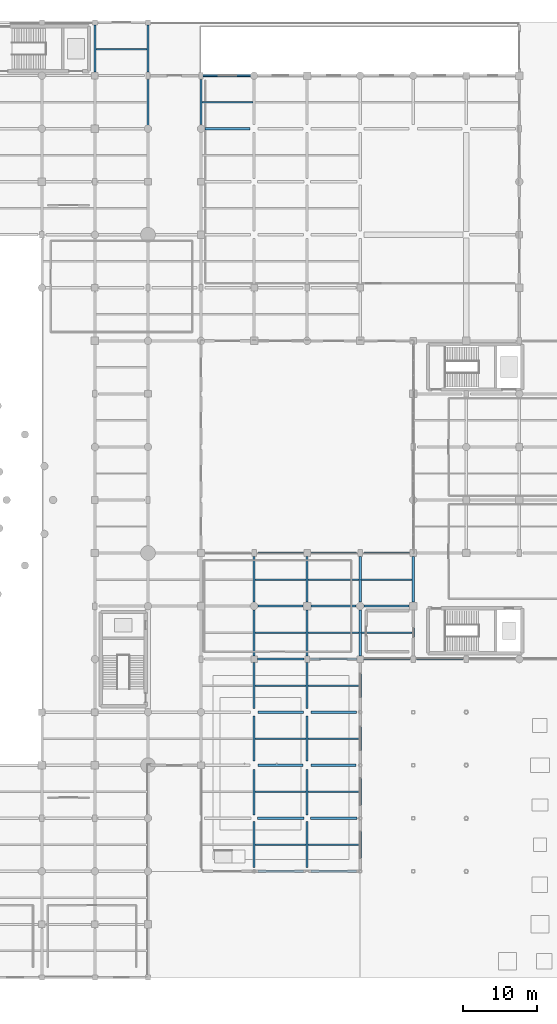
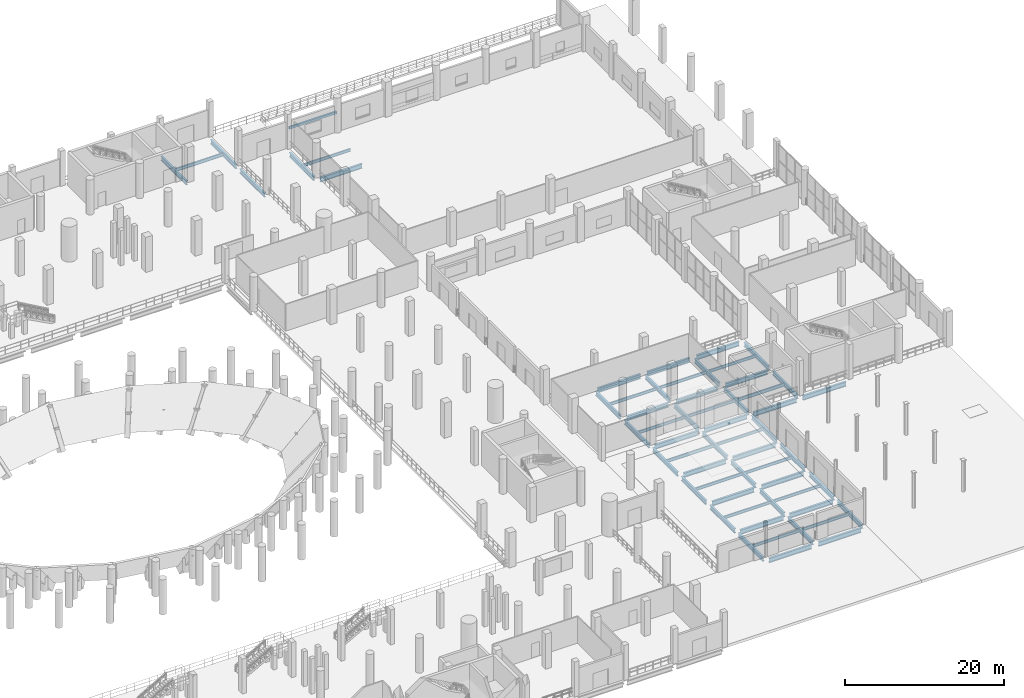
# One storey, part 14 of 58: 60 beams.
"""IFC4 building model written with IfcOpenShell, lengths in metres."""

from ifc_helpers import new_model, si_unit, direction, frame, origin, origin_2d, place, context, subcontext, project, spatial, rectangle, i_section, extrude, material, material_profile, profile_set, type_object, element, save


model = new_model("IFC4")

# Units and contexts
model_context = context("Model", 3, precision=1e-05, world=origin(), true_north=direction((0.0, 1.0)))
body_context = subcontext(model_context, "Body", "Model", "MODEL_VIEW")
ifc_project = project(units=[si_unit("LENGTHUNIT", "METRE"), si_unit("AREAUNIT", "SQUARE_METRE"), si_unit("VOLUMEUNIT", "CUBIC_METRE"), si_unit("PLANEANGLEUNIT", "RADIAN"), si_unit("MASSUNIT", "GRAM", prefix="KILO")], contexts=[model_context])

# Site, building, storey
site_placement = place(None, origin())
site = spatial("IfcSite", under=ifc_project, at=site_placement, CompositionType="ELEMENT")
building_placement = place(site_placement, origin())
building = spatial("IfcBuilding", under=site, at=building_placement, Name="Qandorah Velis Arena", CompositionType="ELEMENT")
storey_placement = place(building_placement, origin())
storey = spatial("IfcBuildingStorey", under=building, at=storey_placement, Name="L00", CompositionType="ELEMENT", Elevation=0.0)

# Beams
ifc_material_1 = material(Name="Steel S355", Category="steel")
ifc_material_profile_1 = material_profile(ifc_material_1, i_section(OverallWidth=0.300048828125, OverallDepth=0.64990234375, WebThickness=0.01611328125, FlangeThickness=0.031005859375, FilletRadius=0.027099609375, at=origin_2d()), Name="HEB 650")
ifc_profile_set_1 = profile_set([ifc_material_profile_1], Name="Steel S355")
beam_type_1 = type_object("IfcBeamType", Name="STR-BM-HEB650", PredefinedType="BEAM", material=ifc_profile_set_1)
beam_1_placement = place(storey_placement, frame((108.0, 122.89990234375, -0.7451171875), z_axis=(0.0, 1.0, 0.0), x_axis=(-1.0, 0.0, 0.0)))
element("IfcBeam", 1, at=beam_1_placement, inside=storey, type_object=beam_type_1, Name="Primary floor girder L00 Y-442", PredefinedType="BEAM", context=body_context, shape_type="SweptSolid", body=[
    extrude(i_section(OverallWidth=0.300048828125, OverallDepth=0.64990234375, WebThickness=0.01611328125, FlangeThickness=0.031005859375, FilletRadius=0.027099609375, at=origin_2d()), origin(), (0.0, 0.0, 1.0), 6.400146484375),
])
beam_2_placement = place(storey_placement, frame((115.199951171875, 115.64990234375, -0.7451171875), z_axis=(0.0, 1.0, 0.0), x_axis=(-1.0, 0.0, 0.0)))
element("IfcBeam", 2, at=beam_2_placement, inside=storey, type_object=beam_type_1, Name="Primary floor girder L00 Y-458", PredefinedType="BEAM", context=body_context, shape_type="SweptSolid", body=[
    extrude(i_section(OverallWidth=0.300048828125, OverallDepth=0.64990234375, WebThickness=0.01611328125, FlangeThickness=0.031005859375, FilletRadius=0.027099609375, at=origin_2d()), origin(), (0.0, 0.0, 1.0), 6.25),
])
beam_3_placement = place(storey_placement, frame((115.199951171875, 122.89990234375, -0.7451171875), z_axis=(0.0, 1.0, 0.0), x_axis=(-1.0, 0.0, 0.0)))
element("IfcBeam", 3, at=beam_3_placement, inside=storey, type_object=beam_type_1, Name="Primary floor girder L00 Y-459", PredefinedType="BEAM", context=body_context, shape_type="SweptSolid", body=[
    extrude(i_section(OverallWidth=0.300048828125, OverallDepth=0.64990234375, WebThickness=0.01611328125, FlangeThickness=0.031005859375, FilletRadius=0.027099609375, at=origin_2d()), origin(), (0.0, 0.0, 1.0), 6.400146484375),
])
beam_4_placement = place(storey_placement, frame((122.39990234375, 115.75, -0.7451171875), z_axis=(0.0, 1.0, 0.0), x_axis=(-1.0, 0.0, 0.0)))
element("IfcBeam", 4, at=beam_4_placement, inside=storey, type_object=beam_type_1, Name="Primary floor girder L00 Y-470", PredefinedType="BEAM", context=body_context, shape_type="SweptSolid", body=[
    extrude(i_section(OverallWidth=0.300048828125, OverallDepth=0.64990234375, WebThickness=0.01611328125, FlangeThickness=0.031005859375, FilletRadius=0.027099609375, at=origin_2d()), origin(), (0.0, 0.0, 1.0), 6.14990234375),
])
beam_5_placement = place(storey_placement, frame((129.60009765625, 14.89990234375, -0.7451171875), z_axis=(0.0, 1.0, 0.0), x_axis=(-1.0, 0.0, 0.0)))
element("IfcBeam", 5, at=beam_5_placement, inside=storey, type_object=beam_type_1, Name="Primary floor girder L00 Y-471", PredefinedType="BEAM", context=body_context, shape_type="SweptSolid", body=[
    extrude(i_section(OverallWidth=0.300048828125, OverallDepth=0.64990234375, WebThickness=0.01611328125, FlangeThickness=0.031005859375, FilletRadius=0.027099609375, at=origin_2d()), origin(), (0.0, 0.0, 1.0), 6.25),
])
beam_6_placement = place(storey_placement, frame((129.60009765625, 22.050048828125, -0.7451171875), z_axis=(0.0, 1.0, 0.0), x_axis=(-1.0, 0.0, 0.0)))
element("IfcBeam", 6, at=beam_6_placement, inside=storey, type_object=beam_type_1, Name="Primary floor girder L00 Y-472", PredefinedType="BEAM", context=body_context, shape_type="SweptSolid", body=[
    extrude(i_section(OverallWidth=0.300048828125, OverallDepth=0.64990234375, WebThickness=0.01611328125, FlangeThickness=0.031005859375, FilletRadius=0.027099609375, at=origin_2d()), origin(), (0.0, 0.0, 1.0), 6.199951171875),
])
beam_7_placement = place(storey_placement, frame((129.60009765625, 29.35009765625, -0.7451171875), z_axis=(0.0, 1.0, 0.0), x_axis=(-1.0, 0.0, 0.0)))
element("IfcBeam", 7, at=beam_7_placement, inside=storey, type_object=beam_type_1, Name="Primary floor girder L00 Y-473", PredefinedType="BEAM", context=body_context, shape_type="SweptSolid", body=[
    extrude(i_section(OverallWidth=0.300048828125, OverallDepth=0.64990234375, WebThickness=0.01611328125, FlangeThickness=0.031005859375, FilletRadius=0.027099609375, at=origin_2d()), origin(), (0.0, 0.0, 1.0), 6.14990234375),
])
beam_8_placement = place(storey_placement, frame((129.60009765625, 36.5, -0.7451171875), z_axis=(0.0, 1.0, 0.0), x_axis=(-1.0, 0.0, 0.0)))
element("IfcBeam", 8, at=beam_8_placement, inside=storey, type_object=beam_type_1, Name="Primary floor girder L00 Y-474", PredefinedType="BEAM", context=body_context, shape_type="SweptSolid", body=[
    extrude(i_section(OverallWidth=0.300048828125, OverallDepth=0.64990234375, WebThickness=0.01611328125, FlangeThickness=0.031005859375, FilletRadius=0.027099609375, at=origin_2d()), origin(), (0.0, 0.0, 1.0), 6.25),
])
beam_9_placement = place(storey_placement, frame((129.60009765625, 43.64990234375, -0.7451171875), z_axis=(0.0, 1.0, 0.0), x_axis=(-1.0, 0.0, 0.0)))
element("IfcBeam", 9, at=beam_9_placement, inside=storey, type_object=beam_type_1, Name="Primary floor girder L00 Y-475", PredefinedType="BEAM", context=body_context, shape_type="SweptSolid", body=[
    extrude(i_section(OverallWidth=0.300048828125, OverallDepth=0.64990234375, WebThickness=0.01611328125, FlangeThickness=0.031005859375, FilletRadius=0.027099609375, at=origin_2d()), origin(), (0.0, 0.0, 1.0), 6.2001953125),
])
beam_10_placement = place(storey_placement, frame((129.60009765625, 50.949951171875, -0.7451171875), z_axis=(0.0, 1.0, 0.0), x_axis=(-1.0, 0.0, 0.0)))
element("IfcBeam", 10, at=beam_10_placement, inside=storey, type_object=beam_type_1, Name="Primary floor girder L00 Y-476", PredefinedType="BEAM", context=body_context, shape_type="SweptSolid", body=[
    extrude(i_section(OverallWidth=0.300048828125, OverallDepth=0.64990234375, WebThickness=0.01611328125, FlangeThickness=0.031005859375, FilletRadius=0.027099609375, at=origin_2d()), origin(), (0.0, 0.0, 1.0), 6.150146484375),
])
beam_11_placement = place(storey_placement, frame((136.800048828125, 14.89990234375, -0.7451171875), z_axis=(0.0, 1.0, 0.0), x_axis=(-1.0, 0.0, 0.0)))
element("IfcBeam", 11, at=beam_11_placement, inside=storey, type_object=beam_type_1, Name="Primary floor girder L00 Y-482", PredefinedType="BEAM", context=body_context, shape_type="SweptSolid", body=[
    extrude(i_section(OverallWidth=0.300048828125, OverallDepth=0.64990234375, WebThickness=0.01611328125, FlangeThickness=0.031005859375, FilletRadius=0.027099609375, at=origin_2d()), origin(), (0.0, 0.0, 1.0), 6.25),
])
beam_12_placement = place(storey_placement, frame((136.800048828125, 22.050048828125, -0.7451171875), z_axis=(0.0, 1.0, 0.0), x_axis=(-1.0, 0.0, 0.0)))
element("IfcBeam", 12, at=beam_12_placement, inside=storey, type_object=beam_type_1, Name="Primary floor girder L00 Y-483", PredefinedType="BEAM", context=body_context, shape_type="SweptSolid", body=[
    extrude(i_section(OverallWidth=0.300048828125, OverallDepth=0.64990234375, WebThickness=0.01611328125, FlangeThickness=0.031005859375, FilletRadius=0.027099609375, at=origin_2d()), origin(), (0.0, 0.0, 1.0), 6.199951171875),
])
beam_13_placement = place(storey_placement, frame((136.800048828125, 29.35009765625, -0.7451171875), z_axis=(0.0, 1.0, 0.0), x_axis=(-1.0, 0.0, 0.0)))
element("IfcBeam", 13, at=beam_13_placement, inside=storey, type_object=beam_type_1, Name="Primary floor girder L00 Y-484", PredefinedType="BEAM", context=body_context, shape_type="SweptSolid", body=[
    extrude(i_section(OverallWidth=0.300048828125, OverallDepth=0.64990234375, WebThickness=0.01611328125, FlangeThickness=0.031005859375, FilletRadius=0.027099609375, at=origin_2d()), origin(), (0.0, 0.0, 1.0), 6.14990234375),
])
beam_14_placement = place(storey_placement, frame((136.800048828125, 36.5, -0.7451171875), z_axis=(0.0, 1.0, 0.0), x_axis=(-1.0, 0.0, 0.0)))
element("IfcBeam", 14, at=beam_14_placement, inside=storey, type_object=beam_type_1, Name="Primary floor girder L00 Y-485", PredefinedType="BEAM", context=body_context, shape_type="SweptSolid", body=[
    extrude(i_section(OverallWidth=0.300048828125, OverallDepth=0.64990234375, WebThickness=0.01611328125, FlangeThickness=0.031005859375, FilletRadius=0.027099609375, at=origin_2d()), origin(), (0.0, 0.0, 1.0), 6.25),
])
beam_15_placement = place(storey_placement, frame((136.800048828125, 43.64990234375, -0.7451171875), z_axis=(0.0, 1.0, 0.0), x_axis=(-1.0, 0.0, 0.0)))
element("IfcBeam", 15, at=beam_15_placement, inside=storey, type_object=beam_type_1, Name="Primary floor girder L00 Y-486", PredefinedType="BEAM", context=body_context, shape_type="SweptSolid", body=[
    extrude(i_section(OverallWidth=0.300048828125, OverallDepth=0.64990234375, WebThickness=0.01611328125, FlangeThickness=0.031005859375, FilletRadius=0.027099609375, at=origin_2d()), origin(), (0.0, 0.0, 1.0), 6.2001953125),
])
beam_16_placement = place(storey_placement, frame((136.800048828125, 50.949951171875, -0.7451171875), z_axis=(0.0, 1.0, 0.0), x_axis=(-1.0, 0.0, 0.0)))
element("IfcBeam", 16, at=beam_16_placement, inside=storey, type_object=beam_type_1, Name="Primary floor girder L00 Y-487", PredefinedType="BEAM", context=body_context, shape_type="SweptSolid", body=[
    extrude(i_section(OverallWidth=0.300048828125, OverallDepth=0.64990234375, WebThickness=0.01611328125, FlangeThickness=0.031005859375, FilletRadius=0.027099609375, at=origin_2d()), origin(), (0.0, 0.0, 1.0), 6.150146484375),
])
beam_17_placement = place(storey_placement, frame((144.0, 14.89990234375, -0.7451171875), z_axis=(0.0, 1.0, 0.0), x_axis=(-1.0, 0.0, 0.0)))
element("IfcBeam", 17, at=beam_17_placement, inside=storey, type_object=beam_type_1, Name="Primary floor girder L00 Y-493", PredefinedType="BEAM", context=body_context, shape_type="SweptSolid", body=[
    extrude(i_section(OverallWidth=0.300048828125, OverallDepth=0.64990234375, WebThickness=0.01611328125, FlangeThickness=0.031005859375, FilletRadius=0.027099609375, at=origin_2d()), origin(), (0.0, 0.0, 1.0), 6.25),
])
beam_18_placement = place(storey_placement, frame((144.0, 22.050048828125, -0.7451171875), z_axis=(0.0, 1.0, 0.0), x_axis=(-1.0, 0.0, 0.0)))
element("IfcBeam", 18, at=beam_18_placement, inside=storey, type_object=beam_type_1, Name="Primary floor girder L00 Y-494", PredefinedType="BEAM", context=body_context, shape_type="SweptSolid", body=[
    extrude(i_section(OverallWidth=0.300048828125, OverallDepth=0.64990234375, WebThickness=0.01611328125, FlangeThickness=0.031005859375, FilletRadius=0.027099609375, at=origin_2d()), origin(), (0.0, 0.0, 1.0), 6.199951171875),
])
beam_19_placement = place(storey_placement, frame((144.0, 29.35009765625, -0.7451171875), z_axis=(0.0, 1.0, 0.0), x_axis=(-1.0, 0.0, 0.0)))
element("IfcBeam", 19, at=beam_19_placement, inside=storey, type_object=beam_type_1, Name="Primary floor girder L00 Y-495", PredefinedType="BEAM", context=body_context, shape_type="SweptSolid", body=[
    extrude(i_section(OverallWidth=0.300048828125, OverallDepth=0.64990234375, WebThickness=0.01611328125, FlangeThickness=0.031005859375, FilletRadius=0.027099609375, at=origin_2d()), origin(), (0.0, 0.0, 1.0), 6.14990234375),
])
beam_20_placement = place(storey_placement, frame((144.0, 36.5, -0.7451171875), z_axis=(0.0, 1.0, 0.0), x_axis=(-1.0, 0.0, 0.0)))
element("IfcBeam", 20, at=beam_20_placement, inside=storey, type_object=beam_type_1, Name="Primary floor girder L00 Y-496", PredefinedType="BEAM", context=body_context, shape_type="SweptSolid", body=[
    extrude(i_section(OverallWidth=0.300048828125, OverallDepth=0.64990234375, WebThickness=0.01611328125, FlangeThickness=0.031005859375, FilletRadius=0.027099609375, at=origin_2d()), origin(), (0.0, 0.0, 1.0), 6.25),
])
beam_21_placement = place(storey_placement, frame((144.0, 43.64990234375, -0.7451171875), z_axis=(0.0, 1.0, 0.0), x_axis=(-1.0, 0.0, 0.0)))
element("IfcBeam", 21, at=beam_21_placement, inside=storey, type_object=beam_type_1, Name="Primary floor girder L00 Y-497", PredefinedType="BEAM", context=body_context, shape_type="SweptSolid", body=[
    extrude(i_section(OverallWidth=0.300048828125, OverallDepth=0.64990234375, WebThickness=0.01611328125, FlangeThickness=0.031005859375, FilletRadius=0.027099609375, at=origin_2d()), origin(), (0.0, 0.0, 1.0), 6.2001953125),
])
beam_22_placement = place(storey_placement, frame((144.0, 50.949951171875, -0.7451171875), z_axis=(0.0, 1.0, 0.0), x_axis=(-1.0, 0.0, 0.0)))
element("IfcBeam", 22, at=beam_22_placement, inside=storey, type_object=beam_type_1, Name="Primary floor girder L00 Y-498", PredefinedType="BEAM", context=body_context, shape_type="SweptSolid", body=[
    extrude(i_section(OverallWidth=0.300048828125, OverallDepth=0.64990234375, WebThickness=0.01611328125, FlangeThickness=0.031005859375, FilletRadius=0.027099609375, at=origin_2d()), origin(), (0.0, 0.0, 1.0), 6.150146484375),
])
beam_23_placement = place(storey_placement, frame((151.199951171875, 43.64990234375, -0.7451171875), z_axis=(0.0, 1.0, 0.0), x_axis=(-1.0, 0.0, 0.0)))
element("IfcBeam", 23, at=beam_23_placement, inside=storey, type_object=beam_type_1, Name="Primary floor girder L00 Y-504", PredefinedType="BEAM", context=body_context, shape_type="SweptSolid", body=[
    extrude(i_section(OverallWidth=0.300048828125, OverallDepth=0.64990234375, WebThickness=0.01611328125, FlangeThickness=0.031005859375, FilletRadius=0.027099609375, at=origin_2d()), origin(), (0.0, 0.0, 1.0), 6.2001953125),
])
beam_24_placement = place(storey_placement, frame((151.199951171875, 50.949951171875, -0.7451171875), z_axis=(0.0, 1.0, 0.0), x_axis=(-1.0, 0.0, 0.0)))
element("IfcBeam", 24, at=beam_24_placement, inside=storey, type_object=beam_type_1, Name="Primary floor girder L00 Y-505", PredefinedType="BEAM", context=body_context, shape_type="SweptSolid", body=[
    extrude(i_section(OverallWidth=0.300048828125, OverallDepth=0.64990234375, WebThickness=0.01611328125, FlangeThickness=0.031005859375, FilletRadius=0.027099609375, at=origin_2d()), origin(), (0.0, 0.0, 1.0), 6.150146484375),
])
ifc_material_profile_2 = material_profile(ifc_material_1, i_section(OverallWidth=0.300048828125, OverallDepth=0.699951171875, WebThickness=0.01708984375, FlangeThickness=0.031982421875, FilletRadius=0.027099609375, at=origin_2d()), Name="HEB 700")
ifc_profile_set_2 = profile_set([ifc_material_profile_2], Name="Steel S355")
beam_type_2 = type_object("IfcBeamType", Name="STR-BM-HEB700", PredefinedType="BEAM", material=ifc_profile_set_2)
for number, where, z_axis, x_axis, name in (
    (25, (130.10009765625, 14.39990234375, -0.77001953125), (1.0, 0.0, 0.0), (0.0, 1.0, 0.0), "Primary floor girder L00 X-050"),
    (26, (137.300048828125, 14.39990234375, -0.77001953125), (1.0, 0.0, 0.0), (0.0, 1.0, 0.0), "Primary floor girder L00 X-051"),
):
    element("IfcBeam", number, at=place(storey_placement, frame(where, z_axis=z_axis, x_axis=x_axis)), inside=storey, type_object=beam_type_2, Name=name, PredefinedType="BEAM", context=body_context, shape_type="SweptSolid", body=[
        extrude(i_section(OverallWidth=0.300048828125, OverallDepth=0.699951171875, WebThickness=0.01708984375, FlangeThickness=0.031982421875, FilletRadius=0.027099609375, at=origin_2d()), origin(), (0.0, 0.0, 1.0), 6.199951171875),
    ])
for number, where, z_axis, x_axis, name in (
    (27, (130.050048828125, 21.60009765625, -0.77001953125), (1.0, 0.0, 0.0), (0.0, 1.0, 0.0), "Primary floor girder L00 X-069"),
    (28, (137.25, 21.60009765625, -0.77001953125), (1.0, 0.0, 0.0), (0.0, 1.0, 0.0), "Primary floor girder L00 X-070"),
):
    element("IfcBeam", number, at=place(storey_placement, frame(where, z_axis=z_axis, x_axis=x_axis)), inside=storey, type_object=beam_type_2, Name=name, PredefinedType="BEAM", context=body_context, shape_type="SweptSolid", body=[
        extrude(i_section(OverallWidth=0.300048828125, OverallDepth=0.699951171875, WebThickness=0.01708984375, FlangeThickness=0.031982421875, FilletRadius=0.027099609375, at=origin_2d()), origin(), (0.0, 0.0, 1.0), 6.300048828125),
    ])
beam_25_placement = place(storey_placement, frame((130.14990234375, 28.800048828125, -0.77001953125), z_axis=(1.0, 0.0, 0.0), x_axis=(0.0, 1.0, 0.0)))
element("IfcBeam", 29, at=beam_25_placement, inside=storey, type_object=beam_type_2, Name="Primary floor girder L00 X-089", PredefinedType="BEAM", context=body_context, shape_type="SweptSolid", body=[
    extrude(i_section(OverallWidth=0.300048828125, OverallDepth=0.699951171875, WebThickness=0.01708984375, FlangeThickness=0.031982421875, FilletRadius=0.027099609375, at=origin_2d()), origin(), (0.0, 0.0, 1.0), 6.10009765625),
])
beam_26_placement = place(storey_placement, frame((137.35009765625, 28.800048828125, -0.77001953125), z_axis=(1.0, 0.0, 0.0), x_axis=(0.0, 1.0, 0.0)))
element("IfcBeam", 30, at=beam_26_placement, inside=storey, type_object=beam_type_2, Name="Primary floor girder L00 X-090", PredefinedType="BEAM", context=body_context, shape_type="SweptSolid", body=[
    extrude(i_section(OverallWidth=0.300048828125, OverallDepth=0.699951171875, WebThickness=0.01708984375, FlangeThickness=0.031982421875, FilletRadius=0.027099609375, at=origin_2d()), origin(), (0.0, 0.0, 1.0), 6.099853515625),
])
for number, where, z_axis, x_axis, name in (
    (31, (130.10009765625, 36.0, -0.77001953125), (1.0, 0.0, 0.0), (0.0, 1.0, 0.0), "Primary floor girder L00 X-099"),
    (32, (137.300048828125, 36.0, -0.77001953125), (1.0, 0.0, 0.0), (0.0, 1.0, 0.0), "Primary floor girder L00 X-100"),
):
    element("IfcBeam", number, at=place(storey_placement, frame(where, z_axis=z_axis, x_axis=x_axis)), inside=storey, type_object=beam_type_2, Name=name, PredefinedType="BEAM", context=body_context, shape_type="SweptSolid", body=[
        extrude(i_section(OverallWidth=0.300048828125, OverallDepth=0.699951171875, WebThickness=0.01708984375, FlangeThickness=0.031982421875, FilletRadius=0.027099609375, at=origin_2d()), origin(), (0.0, 0.0, 1.0), 6.199951171875),
    ])
for number, where, z_axis, x_axis, name in (
    (33, (130.050048828125, 43.199951171875, -0.77001953125), (1.0, 0.0, 0.0), (0.0, 1.0, 0.0), "Primary floor girder L00 X-104"),
    (34, (137.25, 43.199951171875, -0.77001953125), (1.0, 0.0, 0.0), (0.0, 1.0, 0.0), "Primary floor girder L00 X-105"),
    (35, (144.449951171875, 43.199951171875, -0.77001953125), (1.0, 0.0, 0.0), (0.0, 1.0, 0.0), "Primary floor girder L00 X-106"),
    (36, (151.64990234375, 43.199951171875, -0.77001953125), (1.0, 0.0, 0.0), (0.0, 1.0, 0.0), "Primary floor girder L00 X-107"),
):
    element("IfcBeam", number, at=place(storey_placement, frame(where, z_axis=z_axis, x_axis=x_axis)), inside=storey, type_object=beam_type_2, Name=name, PredefinedType="BEAM", context=body_context, shape_type="SweptSolid", body=[
        extrude(i_section(OverallWidth=0.300048828125, OverallDepth=0.699951171875, WebThickness=0.01708984375, FlangeThickness=0.031982421875, FilletRadius=0.027099609375, at=origin_2d()), origin(), (0.0, 0.0, 1.0), 6.300048828125),
    ])
beam_27_placement = place(storey_placement, frame((130.14990234375, 50.39990234375, -0.77001953125), z_axis=(1.0, 0.0, 0.0), x_axis=(0.0, 1.0, 0.0)))
element("IfcBeam", 37, at=beam_27_placement, inside=storey, type_object=beam_type_2, Name="Primary floor girder L00 X-116", PredefinedType="BEAM", context=body_context, shape_type="SweptSolid", body=[
    extrude(i_section(OverallWidth=0.300048828125, OverallDepth=0.699951171875, WebThickness=0.01708984375, FlangeThickness=0.031982421875, FilletRadius=0.027099609375, at=origin_2d()), origin(), (0.0, 0.0, 1.0), 6.10009765625),
])
for number, where, z_axis, x_axis, name in (
    (38, (137.35009765625, 50.39990234375, -0.77001953125), (1.0, 0.0, 0.0), (0.0, 1.0, 0.0), "Primary floor girder L00 X-117"),
    (39, (144.550048828125, 50.39990234375, -0.77001953125), (1.0, 0.0, 0.0), (0.0, 1.0, 0.0), "Primary floor girder L00 X-118"),
):
    element("IfcBeam", number, at=place(storey_placement, frame(where, z_axis=z_axis, x_axis=x_axis)), inside=storey, type_object=beam_type_2, Name=name, PredefinedType="BEAM", context=body_context, shape_type="SweptSolid", body=[
        extrude(i_section(OverallWidth=0.300048828125, OverallDepth=0.699951171875, WebThickness=0.01708984375, FlangeThickness=0.031982421875, FilletRadius=0.027099609375, at=origin_2d()), origin(), (0.0, 0.0, 1.0), 6.099853515625),
    ])
for number, where, z_axis, x_axis, name in (
    (40, (130.10009765625, 57.60009765625, -0.77001953125), (1.0, 0.0, 0.0), (0.0, 1.0, 0.0), "Primary floor girder L00 X-125"),
    (41, (137.300048828125, 57.60009765625, -0.77001953125), (1.0, 0.0, 0.0), (0.0, 1.0, 0.0), "Primary floor girder L00 X-126"),
    (42, (144.5, 57.60009765625, -0.77001953125), (1.0, 0.0, 0.0), (0.0, 1.0, 0.0), "Primary floor girder L00 X-127"),
):
    element("IfcBeam", number, at=place(storey_placement, frame(where, z_axis=z_axis, x_axis=x_axis)), inside=storey, type_object=beam_type_2, Name=name, PredefinedType="BEAM", context=body_context, shape_type="SweptSolid", body=[
        extrude(i_section(OverallWidth=0.300048828125, OverallDepth=0.699951171875, WebThickness=0.01708984375, FlangeThickness=0.031982421875, FilletRadius=0.027099609375, at=origin_2d()), origin(), (0.0, 0.0, 1.0), 6.199951171875),
    ])
beam_28_placement = place(storey_placement, frame((122.949951171875, 115.199951171875, -0.77001953125), z_axis=(1.0, 0.0, 0.0), x_axis=(0.0, 1.0, 0.0)))
element("IfcBeam", 43, at=beam_28_placement, inside=storey, type_object=beam_type_2, Name="Primary floor girder L00 X-230", PredefinedType="BEAM", context=body_context, shape_type="SweptSolid", body=[
    extrude(i_section(OverallWidth=0.300048828125, OverallDepth=0.699951171875, WebThickness=0.01708984375, FlangeThickness=0.031982421875, FilletRadius=0.027099609375, at=origin_2d()), origin(), (0.0, 0.0, 1.0), 6.10009765625),
])
ifc_material_profile_3 = material_profile(ifc_material_1, i_section(OverallWidth=0.18994140625, OverallDepth=0.449951171875, WebThickness=0.009521484375, FlangeThickness=0.0146484375, FilletRadius=0.02099609375, at=origin_2d()), Name="IPE 450")
ifc_profile_set_3 = profile_set([ifc_material_profile_3], Name="Steel S355")
beam_type_3 = type_object("IfcBeamType", Name="STR-JST-IPE450", PredefinedType="JOIST", material=ifc_profile_set_3)
beam_29_placement = place(storey_placement, frame((122.534912109375, 118.800048828125, -0.64501953125), z_axis=(1.0, 0.0, 0.0), x_axis=(0.0, 1.0, 0.0)))
element("IfcBeam", 44, at=beam_29_placement, inside=storey, type_object=beam_type_3, Name="Secondary floor joist L00-167", PredefinedType="JOIST", context=body_context, shape_type="SweptSolid", body=[
    extrude(i_section(OverallWidth=0.18994140625, OverallDepth=0.449951171875, WebThickness=0.009521484375, FlangeThickness=0.0146484375, FilletRadius=0.02099609375, at=origin_2d()), origin(), (0.0, 0.0, 1.0), 6.93017578125),
])
for number, where, z_axis, x_axis, name in (
    (45, (129.735107421875, 18.0, -0.64501953125), (1.0, 0.0, 0.0), (0.0, 1.0, 0.0), "Secondary floor joist L00-168"),
    (46, (129.735107421875, 25.199951171875, -0.64501953125), (1.0, 0.0, 0.0), (0.0, 1.0, 0.0), "Secondary floor joist L00-169"),
    (47, (129.735107421875, 32.39990234375, -0.64501953125), (1.0, 0.0, 0.0), (0.0, 1.0, 0.0), "Secondary floor joist L00-170"),
    (48, (129.735107421875, 46.800048828125, -0.64501953125), (1.0, 0.0, 0.0), (0.0, 1.0, 0.0), "Secondary floor joist L00-172"),
    (49, (129.735107421875, 54.0, -0.64501953125), (1.0, 0.0, 0.0), (0.0, 1.0, 0.0), "Secondary floor joist L00-173"),
    (50, (136.93505859375, 18.0, -0.64501953125), (1.0, 0.0, 0.0), (0.0, 1.0, 0.0), "Secondary floor joist L00-179"),
    (51, (136.93505859375, 25.199951171875, -0.64501953125), (1.0, 0.0, 0.0), (0.0, 1.0, 0.0), "Secondary floor joist L00-180"),
    (52, (136.93505859375, 32.39990234375, -0.64501953125), (1.0, 0.0, 0.0), (0.0, 1.0, 0.0), "Secondary floor joist L00-181"),
    (53, (136.93505859375, 39.60009765625, -0.64501953125), (1.0, 0.0, 0.0), (0.0, 1.0, 0.0), "Secondary floor joist L00-182"),
    (54, (136.93505859375, 46.800048828125, -0.64501953125), (1.0, 0.0, 0.0), (0.0, 1.0, 0.0), "Secondary floor joist L00-183"),
    (55, (136.93505859375, 54.0, -0.64501953125), (1.0, 0.0, 0.0), (0.0, 1.0, 0.0), "Secondary floor joist L00-184"),
    (56, (144.135009765625, 54.0, -0.64501953125), (1.0, 0.0, 0.0), (0.0, 1.0, 0.0), "Secondary floor joist L00-191"),
):
    element("IfcBeam", number, at=place(storey_placement, frame(where, z_axis=z_axis, x_axis=x_axis)), inside=storey, type_object=beam_type_3, Name=name, PredefinedType="JOIST", context=body_context, shape_type="SweptSolid", body=[
        extrude(i_section(OverallWidth=0.18994140625, OverallDepth=0.449951171875, WebThickness=0.009521484375, FlangeThickness=0.0146484375, FilletRadius=0.02099609375, at=origin_2d()), origin(), (0.0, 0.0, 1.0), 6.929931640625),
    ])
ifc_material_profile_4 = material_profile(ifc_material_1, i_section(OverallWidth=0.199951171875, OverallDepth=0.5, WebThickness=0.01025390625, FlangeThickness=0.01611328125, FilletRadius=0.02099609375, at=origin_2d()), Name="IPE 500")
ifc_profile_set_4 = profile_set([ifc_material_profile_4], Name="Steel S355")
beam_type_4 = type_object("IfcBeamType", Name="STR-JST-IPE500", PredefinedType="JOIST", material=ifc_profile_set_4)
for number, where, z_axis, x_axis, name in (
    (57, (108.135009765625, 126.0, -0.669921875), (1.0, 0.0, 0.0), (0.0, 1.0, 0.0), "Secondary floor joist L00-152"),
    (58, (129.735107421875, 39.60009765625, -0.669921875), (1.0, 0.0, 0.0), (0.0, 1.0, 0.0), "Secondary floor joist L00-171"),
    (59, (144.135009765625, 46.800048828125, -0.669921875), (1.0, 0.0, 0.0), (0.0, 1.0, 0.0), "Secondary floor joist L00-190"),
):
    element("IfcBeam", number, at=place(storey_placement, frame(where, z_axis=z_axis, x_axis=x_axis)), inside=storey, type_object=beam_type_4, Name=name, PredefinedType="JOIST", context=body_context, shape_type="SweptSolid", body=[
        extrude(i_section(OverallWidth=0.199951171875, OverallDepth=0.5, WebThickness=0.01025390625, FlangeThickness=0.01611328125, FilletRadius=0.02099609375, at=origin_2d()), origin(), (0.0, 0.0, 1.0), 6.929931640625),
    ])
ifc_material_2 = material(Name="Concrete C40/50", Category="concrete")
ifc_material_profile_5 = material_profile(ifc_material_2, rectangle(XDim=0.25, YDim=0.35009765625, at=origin_2d()), Name="RC LINTEL 250x350")
ifc_profile_set_5 = profile_set([ifc_material_profile_5], Name="Concrete C40/50")
beam_type_5 = type_object("IfcBeamType", Name="STR-LIN-250X350", PredefinedType="LINTEL", material=ifc_profile_set_5)
beam_30_placement = place(storey_placement, frame((122.550048828125, 122.39990234375, 2.949951171875), z_axis=(1.0, 0.0, 0.0), x_axis=(0.0, 1.0, 0.0)))
element("IfcBeam", 60, at=beam_30_placement, inside=storey, type_object=beam_type_5, Name="Facade opening lintel LN-01", PredefinedType="LINTEL", context=body_context, shape_type="SweptSolid", body=[
    extrude(rectangle(XDim=0.25, YDim=0.35009765625, at=origin_2d()), origin(), (0.0, 0.0, 1.0), 6.89990234375),
])

save(model, "model.ifc")
